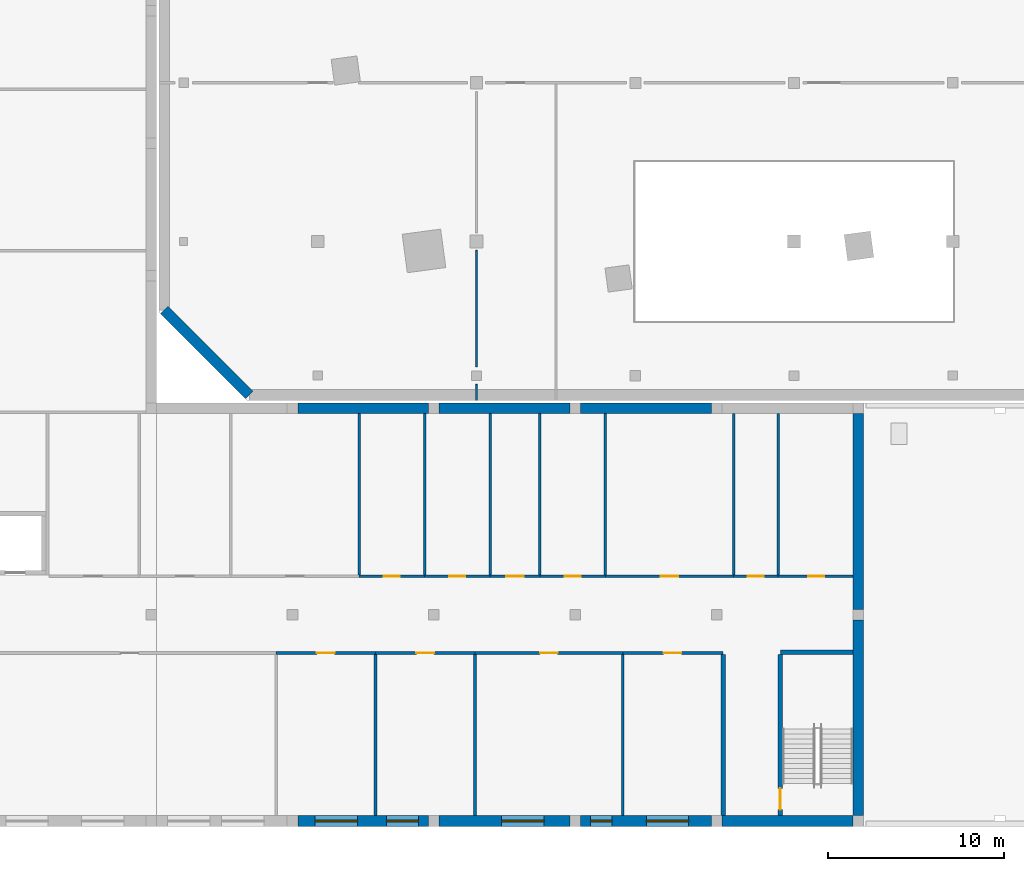
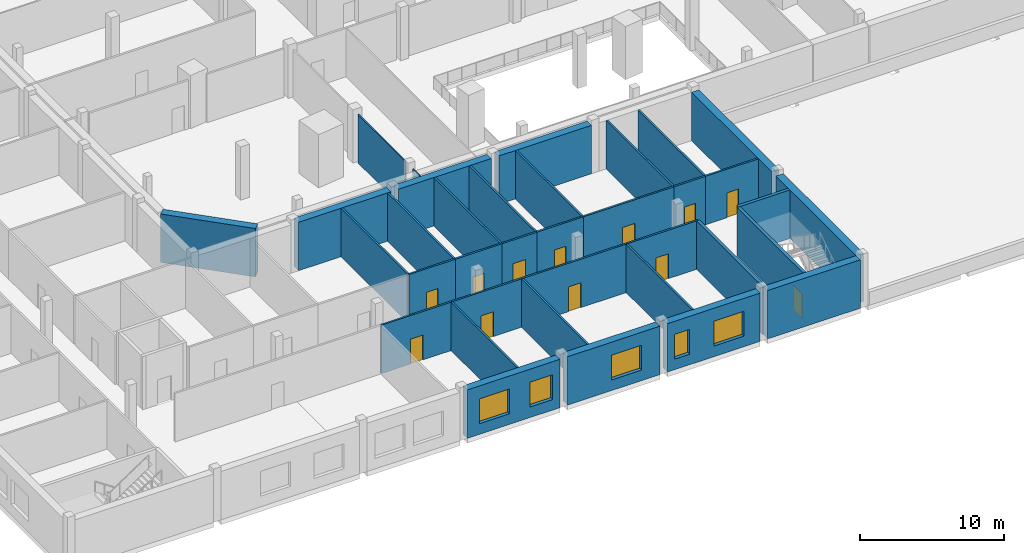
# One storey, part 4 of 20: 36 walls, 12 doors, 5 windows, 17 openings.
"""IFC4 building model written with IfcOpenShell, lengths in metres."""

from ifc_helpers import new_model, si_unit, direction, frame, frame_2d, origin, place, context, subcontext, project, spatial, rectangle, extrude, material, layer, layer_set, type_object, element, fill, save


model = new_model("IFC4")

# Units and contexts
model_context = context("Model", 3, precision=1e-05, world=origin(), true_north=direction((0.0, 1.0)))
body_context = subcontext(model_context, "Body", "Model", "MODEL_VIEW")
ifc_project = project(units=[si_unit("LENGTHUNIT", "METRE"), si_unit("AREAUNIT", "SQUARE_METRE"), si_unit("VOLUMEUNIT", "CUBIC_METRE"), si_unit("PLANEANGLEUNIT", "RADIAN"), si_unit("MASSUNIT", "GRAM", prefix="KILO")], contexts=[model_context])

# Site, building, storey
site_placement = place(None, origin())
site = spatial("IfcSite", under=ifc_project, at=site_placement, CompositionType="ELEMENT")
building_placement = place(site_placement, origin())
building = spatial("IfcBuilding", under=site, at=building_placement, Name="Dilmun Exchange Tower", CompositionType="ELEMENT")
storey_placement = place(building_placement, frame((0.0, 0.0, 9.0)))
storey = spatial("IfcBuildingStorey", under=building, at=storey_placement, Name="L02", CompositionType="ELEMENT", Elevation=9.0)

# Walls
ifc_material_1 = material(Name="Partition 100 gypsum")
ifc_layer_1 = layer(ifc_material_1, 0.10009765625)
ifc_layer_set_1 = layer_set([ifc_layer_1], Name="Partition 100 gypsum")
wall_type_1 = type_object("IfcWallType", Name="Partition 100 gypsum", PredefinedType="PARTITIONING", material=ifc_layer_set_1)
wall_1_placement = place(storey_placement, frame((-18.0, -36.0, 0.0), z_axis=(0.0, 0.0, 1.0), x_axis=(0.0, 1.0, 0.0)))
element("IfcWall", 1, at=wall_1_placement, inside=storey, type_object=wall_type_1, Name="L02 partition", PredefinedType="PARTITIONING", context=body_context, shape_type="SweptSolid", body=[
    extrude(rectangle(XDim=0.89990234375, YDim=0.10009765625, at=frame_2d((0.449951171875, 0.0))), origin(), (0.0, 0.0, 1.0), 4.10009765625),
])
wall_2_placement = place(storey_placement, frame((-18.0, -34.10009765625, 0.0), z_axis=(0.0, 0.0, 1.0), x_axis=(0.0, 1.0, 0.0)))
element("IfcWall", 2, at=wall_2_placement, inside=storey, type_object=wall_type_1, Name="L02 partition", PredefinedType="PARTITIONING", context=body_context, shape_type="SweptSolid", body=[
    extrude(rectangle(XDim=6.60009765625, YDim=0.10009765625, at=frame_2d((3.300048828125, 0.0))), origin(), (0.0, 0.0, 1.0), 4.10009765625),
])
ifc_material_2 = material(Name="Precast concrete C50/60", Category="concrete")
ifc_layer_2 = layer(ifc_material_2, 0.60009765625)
ifc_layer_set_2 = layer_set([ifc_layer_2], Name="Precast concrete C50/60")
wall_type_2 = type_object("IfcWallType", Name="Precast stone-clad wall 600", PredefinedType="STANDARD", material=ifc_layer_set_2)
wall_3_placement = place(storey_placement, frame((-35.699951171875, -30.875732421875, 0.0), z_axis=(0.0, 0.0, 1.0), x_axis=(0.707106781187, -0.707106781187, 0.0)))
element("IfcWall", 3, at=wall_3_placement, inside=storey, type_object=wall_type_2, Name="Facade wall L02-07-0", PredefinedType="STANDARD", context=body_context, shape_type="SweptSolid", body=[
    extrude(rectangle(XDim=6.822509765625, YDim=0.60009765625, at=frame_2d((3.4111328125, 0.0))), origin(), (0.0, 0.0, 1.0), 4.10009765625),
])
ifc_material_3 = material(Name="Precast concrete C40/50", Category="concrete")
ifc_layer_3 = layer(ifc_material_3, 0.60009765625)
ifc_layer_set_3 = layer_set([ifc_layer_3], Name="Precast concrete C40/50")
wall_type_3 = type_object("IfcWallType", Name="School external wall 600 precast C40/50", PredefinedType="STANDARD", material=ifc_layer_set_3)
wall_4_placement = place(storey_placement, frame((-28.13330078125, -36.449951171875, 0.0), z_axis=(0.0, 0.0, 1.0), x_axis=(1.0, 0.0, 0.0)))
element("IfcWall", 4, at=wall_4_placement, inside=storey, type_object=wall_type_3, Name="School external wall", PredefinedType="STANDARD", context=body_context, shape_type="SweptSolid", body=[
    extrude(rectangle(XDim=7.41650390625, YDim=0.60009765625, at=frame_2d((3.708251953125, 0.0))), origin(), (0.0, 0.0, 1.0), 4.10009765625),
])
for number, where, z_axis, x_axis, name in (
    (5, (-20.11669921875, -36.449951171875, 0.0), (0.0, 0.0, 1.0), (1.0, 0.0, 0.0), "School external wall"),
    (6, (-12.10009765625, -36.449951171875, 0.0), (0.0, 0.0, 1.0), (1.0, 0.0, 0.0), "School external wall"),
):
    element("IfcWall", number, at=place(storey_placement, frame(where, z_axis=z_axis, x_axis=x_axis)), inside=storey, type_object=wall_type_3, Name=name, PredefinedType="STANDARD", context=body_context, shape_type="SweptSolid", body=[
        extrude(rectangle(XDim=7.416748046875, YDim=0.60009765625, at=frame_2d((3.70849609375, 0.0))), origin(), (0.0, 0.0, 1.0), 4.10009765625),
    ])
for number, where, z_axis, x_axis, name in (
    (7, (3.63330078125, -36.75, 0.0), (0.0, 0.0, 1.0), (0.0, -1.0, 0.0), "School external wall"),
    (8, (3.63330078125, -48.449951171875, 0.0), (0.0, 0.0, 1.0), (0.0, -1.0, 0.0), "School external wall"),
):
    element("IfcWall", number, at=place(storey_placement, frame(where, z_axis=z_axis, x_axis=x_axis)), inside=storey, type_object=wall_type_3, Name=name, PredefinedType="STANDARD", context=body_context, shape_type="SweptSolid", body=[
        extrude(rectangle(XDim=11.10009765625, YDim=0.60009765625, at=frame_2d((5.550048828125, 0.0))), origin(), (0.0, 0.0, 1.0), 4.10009765625),
    ])
wall_5_placement = place(storey_placement, frame((3.333251953125, -59.85009765625, 0.0), z_axis=(0.0, 0.0, 1.0), x_axis=(-1.0, 0.0, 0.0)))
element("IfcWall", 9, at=wall_5_placement, inside=storey, type_object=wall_type_3, Name="School external wall", PredefinedType="STANDARD", context=body_context, shape_type="SweptSolid", body=[
    extrude(rectangle(XDim=7.41650390625, YDim=0.60009765625, at=frame_2d((3.708251953125, 0.0))), origin(), (0.0, 0.0, 1.0), 4.10009765625),
])

# Wall, openings, windows
wall_6_placement = place(storey_placement, frame((-4.683349609375, -59.85009765625, 0.0), z_axis=(0.0, 0.0, 1.0), x_axis=(-1.0, 0.0, 0.0)))
wall_6 = element("IfcWall", 10, at=wall_6_placement, inside=storey, type_object=wall_type_3, Name="School external wall", PredefinedType="STANDARD", context=body_context, shape_type="SweptSolid", body=[
    extrude(rectangle(XDim=7.416748046875, YDim=0.60009765625, at=frame_2d((3.70849609375, 0.0))), origin(), (0.0, 0.0, 1.0), 4.10009765625),
])
opening_1_placement = place(wall_6_placement, frame((5.643798828125, 0.0, 0.89990234375)))
opening_1 = element("IfcOpeningElement", 11, at=opening_1_placement, cuts=wall_6, Name="Opening SCH-W12", PredefinedType="OPENING", context=body_context, shape_type="SweptSolid", body=[
    extrude(rectangle(XDim=1.199951171875, YDim=2.10009765625, at=frame_2d((0.60009765625, 1.050048828125))), frame((0.0, 0.31005859375, 0.0), z_axis=(0.0, -1.0, 0.0), x_axis=(1.0, 0.0, 0.0)), (0.0, 0.0, 1.0), 0.6201171875),
])
opening_2_placement = place(wall_6_placement, frame((1.290283203125, 0.0, 0.89990234375)))
opening_2 = element("IfcOpeningElement", 12, at=opening_2_placement, cuts=wall_6, Name="Opening SCH-W24", PredefinedType="OPENING", context=body_context, shape_type="SweptSolid", body=[
    extrude(rectangle(XDim=2.39990234375, YDim=2.10009765625, at=frame_2d((1.199951171875, 1.050048828125))), frame((0.0, 0.31005859375, 0.0), z_axis=(0.0, -1.0, 0.0), x_axis=(1.0, 0.0, 0.0)), (0.0, 0.0, 1.0), 0.6201171875),
])
ifc_material_4 = material(Name="Clear low-emissivity glass in aluminium frame", Category="aluminium")
window_type_1 = type_object("IfcWindowType", Name="School window 1200 x 2100", PartitioningType="DOUBLE_PANEL_VERTICAL", PredefinedType="WINDOW", material=ifc_material_4)
window_1_placement = place(opening_1_placement, origin())
window_1 = element("IfcWindow", 13, at=window_1_placement, inside=storey, type_object=window_type_1, Name="School window", OverallHeight=2.10009765625, OverallWidth=1.199951171875, PartitioningType="SINGLE_PANEL", PredefinedType="WINDOW", context=body_context, shape_type="SweptSolid", body=[
    extrude(rectangle(XDim=1.199951171875, YDim=2.10009765625, at=frame_2d((0.60009765625, 1.050048828125))), frame((0.0, 0.030029296875, 0.0), z_axis=(0.0, -1.0, 0.0), x_axis=(1.0, 0.0, 0.0)), (0.0, 0.0, 1.0), 0.06005859375),
])
fill(opening_1, window_1)
window_type_2 = type_object("IfcWindowType", Name="School window 2400 x 2100", PartitioningType="DOUBLE_PANEL_VERTICAL", PredefinedType="WINDOW", material=ifc_material_4)
window_2_placement = place(opening_2_placement, origin())
window_2 = element("IfcWindow", 14, at=window_2_placement, inside=storey, type_object=window_type_2, Name="School window", OverallHeight=2.10009765625, OverallWidth=2.39990234375, PartitioningType="SINGLE_PANEL", PredefinedType="WINDOW", context=body_context, shape_type="SweptSolid", body=[
    extrude(rectangle(XDim=2.39990234375, YDim=2.10009765625, at=frame_2d((1.199951171875, 1.050048828125))), frame((0.0, 0.030029296875, 0.0), z_axis=(0.0, -1.0, 0.0), x_axis=(1.0, 0.0, 0.0)), (0.0, 0.0, 1.0), 0.06005859375),
])
fill(opening_2, window_2)

# Wall, opening, window
wall_7_placement = place(storey_placement, frame((-12.699951171875, -59.85009765625, 0.0), z_axis=(0.0, 0.0, 1.0), x_axis=(-1.0, 0.0, 0.0)))
wall_7 = element("IfcWall", 15, at=wall_7_placement, inside=storey, type_object=wall_type_3, Name="School external wall", PredefinedType="STANDARD", context=body_context, shape_type="SweptSolid", body=[
    extrude(rectangle(XDim=7.416748046875, YDim=0.60009765625, at=frame_2d((3.70849609375, 0.0))), origin(), (0.0, 0.0, 1.0), 4.10009765625),
])
opening_3_placement = place(wall_7_placement, frame((1.472412109375, 0.0, 0.89990234375)))
opening_3 = element("IfcOpeningElement", 16, at=opening_3_placement, cuts=wall_7, Name="Opening SCH-W24", PredefinedType="OPENING", context=body_context, shape_type="SweptSolid", body=[
    extrude(rectangle(XDim=2.39990234375, YDim=2.10009765625, at=frame_2d((1.199951171875, 1.050048828125))), frame((0.0, 0.31005859375, 0.0), z_axis=(0.0, -1.0, 0.0), x_axis=(1.0, 0.0, 0.0)), (0.0, 0.0, 1.0), 0.6201171875),
])
window_3_placement = place(opening_3_placement, origin())
window_3 = element("IfcWindow", 17, at=window_3_placement, inside=storey, type_object=window_type_2, Name="School window", OverallHeight=2.10009765625, OverallWidth=2.39990234375, PartitioningType="SINGLE_PANEL", PredefinedType="WINDOW", context=body_context, shape_type="SweptSolid", body=[
    extrude(rectangle(XDim=2.39990234375, YDim=2.10009765625, at=frame_2d((1.199951171875, 1.050048828125))), frame((0.0, 0.030029296875, 0.0), z_axis=(0.0, -1.0, 0.0), x_axis=(1.0, 0.0, 0.0)), (0.0, 0.0, 1.0), 0.06005859375),
])
fill(opening_3, window_3)

# Wall, openings, windows
wall_8_placement = place(storey_placement, frame((-20.716796875, -59.85009765625, 0.0), z_axis=(0.0, 0.0, 1.0), x_axis=(-1.0, 0.0, 0.0)))
wall_8 = element("IfcWall", 18, at=wall_8_placement, inside=storey, type_object=wall_type_3, Name="School external wall", PredefinedType="STANDARD", context=body_context, shape_type="SweptSolid", body=[
    extrude(rectangle(XDim=7.41650390625, YDim=0.60009765625, at=frame_2d((3.708251953125, 0.0))), origin(), (0.0, 0.0, 1.0), 4.10009765625),
])
opening_4_placement = place(wall_8_placement, frame((4.035888671875, 0.0, 0.89990234375)))
opening_4 = element("IfcOpeningElement", 19, at=opening_4_placement, cuts=wall_8, Name="Opening SCH-W24", PredefinedType="OPENING", context=body_context, shape_type="SweptSolid", body=[
    extrude(rectangle(XDim=2.39990234375, YDim=2.10009765625, at=frame_2d((1.199951171875, 1.050048828125))), frame((0.0, 0.31005859375, 0.0), z_axis=(0.0, -1.0, 0.0), x_axis=(1.0, 0.0, 0.0)), (0.0, 0.0, 1.0), 0.6201171875),
])
opening_5_placement = place(wall_8_placement, frame((0.58251953125, 0.0, 0.89990234375)))
opening_5 = element("IfcOpeningElement", 20, at=opening_5_placement, cuts=wall_8, Name="Opening SCH-W18", PredefinedType="OPENING", context=body_context, shape_type="SweptSolid", body=[
    extrude(rectangle(XDim=1.800048828125, YDim=2.10009765625, at=frame_2d((0.89990234375, 1.050048828125))), frame((0.0, 0.31005859375, 0.0), z_axis=(0.0, -1.0, 0.0), x_axis=(1.0, 0.0, 0.0)), (0.0, 0.0, 1.0), 0.6201171875),
])
window_type_3 = type_object("IfcWindowType", Name="School window 1800 x 2100", PartitioningType="DOUBLE_PANEL_VERTICAL", PredefinedType="WINDOW", material=ifc_material_4)
window_4_placement = place(opening_5_placement, origin())
window_4 = element("IfcWindow", 21, at=window_4_placement, inside=storey, type_object=window_type_3, Name="School window", OverallHeight=2.10009765625, OverallWidth=1.800048828125, PartitioningType="SINGLE_PANEL", PredefinedType="WINDOW", context=body_context, shape_type="SweptSolid", body=[
    extrude(rectangle(XDim=1.800048828125, YDim=2.10009765625, at=frame_2d((0.89990234375, 1.050048828125))), frame((0.0, 0.030029296875, 0.0), z_axis=(0.0, -1.0, 0.0), x_axis=(1.0, 0.0, 0.0)), (0.0, 0.0, 1.0), 0.06005859375),
])
fill(opening_5, window_4)
window_5_placement = place(opening_4_placement, origin())
window_5 = element("IfcWindow", 22, at=window_5_placement, inside=storey, type_object=window_type_2, Name="School window", OverallHeight=2.10009765625, OverallWidth=2.39990234375, PartitioningType="SINGLE_PANEL", PredefinedType="WINDOW", context=body_context, shape_type="SweptSolid", body=[
    extrude(rectangle(XDim=2.39990234375, YDim=2.10009765625, at=frame_2d((1.199951171875, 1.050048828125))), frame((0.0, 0.030029296875, 0.0), z_axis=(0.0, -1.0, 0.0), x_axis=(1.0, 0.0, 0.0)), (0.0, 0.0, 1.0), 0.06005859375),
])
fill(opening_4, window_5)

# Walls
ifc_material_5 = material(Name="Gypsum board on steel studs", Category="steel")
ifc_layer_4 = layer(ifc_material_5, 0.14990234375)
ifc_layer_set_4 = layer_set([ifc_layer_4], Name="Gypsum board on steel studs")
wall_type_4 = type_object("IfcWallType", Name="School partition 150 gypsum board", PredefinedType="PARTITIONING", material=ifc_layer_set_4)
for number, where, z_axis, x_axis, name in (
    (23, (-23.726806640625, -59.550048828125, 0.0), (0.0, 0.0, 1.0), (0.0, 1.0, 0.0), "School partition"),
    (24, (-18.089599609375, -59.550048828125, 0.0), (0.0, 0.0, 1.0), (0.0, 1.0, 0.0), "School partition"),
    (25, (-9.708984375, -59.550048828125, 0.0), (0.0, 0.0, 1.0), (0.0, 1.0, 0.0), "School partition"),
):
    element("IfcWall", number, at=place(storey_placement, frame(where, z_axis=z_axis, x_axis=x_axis)), inside=storey, type_object=wall_type_4, Name=name, PredefinedType="PARTITIONING", context=body_context, shape_type="SweptSolid", body=[
        extrude(rectangle(XDim=9.150146484375, YDim=0.14990234375, at=frame_2d((4.5751953125, 0.0))), origin(), (0.0, 0.0, 1.0), 4.10009765625),
    ])

# Wall, opening, door
wall_9_placement = place(storey_placement, frame((-29.36376953125, -50.324951171875, 0.0), z_axis=(0.0, 0.0, 1.0), x_axis=(1.0, 0.0, 0.0)))
wall_9 = element("IfcWall", 26, at=wall_9_placement, inside=storey, type_object=wall_type_4, Name="School corridor wall", PredefinedType="PARTITIONING", context=body_context, shape_type="SweptSolid", body=[
    extrude(rectangle(XDim=5.636962890625, YDim=0.14990234375, at=frame_2d((2.818359375, 0.0))), origin(), (0.0, 0.0, 1.0), 4.10009765625),
])
opening_6_placement = place(wall_9_placement, frame((2.318603515625, 0.0, 0.0)))
opening_6 = element("IfcOpeningElement", 27, at=opening_6_placement, cuts=wall_9, Name="Opening SCH-D1", PredefinedType="OPENING", context=body_context, shape_type="SweptSolid", body=[
    extrude(rectangle(XDim=1.0, YDim=2.10009765625, at=frame_2d((0.5, 1.050048828125))), frame((0.0, 0.0849609375, 0.0), z_axis=(0.0, -1.0, 0.0), x_axis=(1.0, 0.0, 0.0)), (0.0, 0.0, 1.0), 0.169921875),
])
ifc_material_6 = material(Name="Timber door leaf in steel frame", Category="steel")
door_type_1 = type_object("IfcDoorType", Name="School door FD30S 1000 x 2100", OperationType="NOTDEFINED", PredefinedType="DOOR", material=ifc_material_6)
door_1_placement = place(opening_6_placement, origin())
door_1 = element("IfcDoor", 28, at=door_1_placement, inside=storey, type_object=door_type_1, Name="Classroom door", OperationType="SINGLE_SWING_LEFT", OverallHeight=2.10009765625, OverallWidth=1.0, PredefinedType="DOOR", context=body_context, shape_type="SweptSolid", body=[
    extrude(rectangle(XDim=1.0, YDim=2.10009765625, at=frame_2d((0.5, 1.050048828125))), frame((0.0, 0.02490234375, 0.0), z_axis=(0.0, -1.0, 0.0), x_axis=(1.0, 0.0, 0.0)), (0.0, 0.0, 1.0), 0.050048828125),
])
fill(opening_6, door_1)

wall_10_placement = place(storey_placement, frame((-23.726806640625, -50.324951171875, 0.0), z_axis=(0.0, 0.0, 1.0), x_axis=(1.0, 0.0, 0.0)))
wall_10 = element("IfcWall", 29, at=wall_10_placement, inside=storey, type_object=wall_type_4, Name="School corridor wall", PredefinedType="PARTITIONING", context=body_context, shape_type="SweptSolid", body=[
    extrude(rectangle(XDim=5.63720703125, YDim=0.14990234375, at=frame_2d((2.818603515625, 0.0))), origin(), (0.0, 0.0, 1.0), 4.10009765625),
])
opening_7_placement = place(wall_10_placement, frame((2.318603515625, 0.0, 0.0)))
opening_7 = element("IfcOpeningElement", 30, at=opening_7_placement, cuts=wall_10, Name="Opening SCH-D1", PredefinedType="OPENING", context=body_context, shape_type="SweptSolid", body=[
    extrude(rectangle(XDim=1.0, YDim=2.10009765625, at=frame_2d((0.5, 1.050048828125))), frame((0.0, 0.0849609375, 0.0), z_axis=(0.0, -1.0, 0.0), x_axis=(1.0, 0.0, 0.0)), (0.0, 0.0, 1.0), 0.169921875),
])
door_2_placement = place(opening_7_placement, origin())
door_2 = element("IfcDoor", 31, at=door_2_placement, inside=storey, type_object=door_type_1, Name="Classroom door", OperationType="SINGLE_SWING_RIGHT", OverallHeight=2.10009765625, OverallWidth=1.0, PredefinedType="DOOR", context=body_context, shape_type="SweptSolid", body=[
    extrude(rectangle(XDim=1.0, YDim=2.10009765625, at=frame_2d((0.5, 1.050048828125))), frame((0.0, 0.02490234375, 0.0), z_axis=(0.0, -1.0, 0.0), x_axis=(1.0, 0.0, 0.0)), (0.0, 0.0, 1.0), 0.050048828125),
])
fill(opening_7, door_2)

wall_11_placement = place(storey_placement, frame((-18.089599609375, -50.324951171875, 0.0), z_axis=(0.0, 0.0, 1.0), x_axis=(1.0, 0.0, 0.0)))
wall_11 = element("IfcWall", 32, at=wall_11_placement, inside=storey, type_object=wall_type_4, Name="School corridor wall", PredefinedType="PARTITIONING", context=body_context, shape_type="SweptSolid", body=[
    extrude(rectangle(XDim=8.380615234375, YDim=0.14990234375, at=frame_2d((4.1904296875, 0.0))), origin(), (0.0, 0.0, 1.0), 4.10009765625),
])
opening_8_placement = place(wall_11_placement, frame((3.690185546875, 0.0, 0.0)))
opening_8 = element("IfcOpeningElement", 33, at=opening_8_placement, cuts=wall_11, Name="Opening SCH-D1", PredefinedType="OPENING", context=body_context, shape_type="SweptSolid", body=[
    extrude(rectangle(XDim=1.0, YDim=2.10009765625, at=frame_2d((0.5, 1.050048828125))), frame((0.0, 0.0849609375, 0.0), z_axis=(0.0, -1.0, 0.0), x_axis=(1.0, 0.0, 0.0)), (0.0, 0.0, 1.0), 0.169921875),
])
door_3_placement = place(opening_8_placement, origin())
door_3 = element("IfcDoor", 34, at=door_3_placement, inside=storey, type_object=door_type_1, Name="Art room door", OperationType="SINGLE_SWING_LEFT", OverallHeight=2.10009765625, OverallWidth=1.0, PredefinedType="DOOR", context=body_context, shape_type="SweptSolid", body=[
    extrude(rectangle(XDim=1.0, YDim=2.10009765625, at=frame_2d((0.5, 1.050048828125))), frame((0.0, 0.02490234375, 0.0), z_axis=(0.0, -1.0, 0.0), x_axis=(1.0, 0.0, 0.0)), (0.0, 0.0, 1.0), 0.050048828125),
])
fill(opening_8, door_3)

wall_12_placement = place(storey_placement, frame((-9.708984375, -50.324951171875, 0.0), z_axis=(0.0, 0.0, 1.0), x_axis=(1.0, 0.0, 0.0)))
wall_12 = element("IfcWall", 35, at=wall_12_placement, inside=storey, type_object=wall_type_4, Name="School corridor wall", PredefinedType="PARTITIONING", context=body_context, shape_type="SweptSolid", body=[
    extrude(rectangle(XDim=5.68701171875, YDim=0.14990234375, at=frame_2d((2.843505859375, 0.0))), origin(), (0.0, 0.0, 1.0), 4.10009765625),
])
opening_9_placement = place(wall_12_placement, frame((2.318603515625, 0.0, 0.0)))
opening_9 = element("IfcOpeningElement", 36, at=opening_9_placement, cuts=wall_12, Name="Opening SCH-D1", PredefinedType="OPENING", context=body_context, shape_type="SweptSolid", body=[
    extrude(rectangle(XDim=1.0, YDim=2.10009765625, at=frame_2d((0.5, 1.050048828125))), frame((0.0, 0.0849609375, 0.0), z_axis=(0.0, -1.0, 0.0), x_axis=(1.0, 0.0, 0.0)), (0.0, 0.0, 1.0), 0.169921875),
])
door_4_placement = place(opening_9_placement, origin())
door_4 = element("IfcDoor", 37, at=door_4_placement, inside=storey, type_object=door_type_1, Name="Sixth form study room door", OperationType="SINGLE_SWING_RIGHT", OverallHeight=2.10009765625, OverallWidth=1.0, PredefinedType="DOOR", context=body_context, shape_type="SweptSolid", body=[
    extrude(rectangle(XDim=1.0, YDim=2.10009765625, at=frame_2d((0.5, 1.050048828125))), frame((0.0, 0.02490234375, 0.0), z_axis=(0.0, -1.0, 0.0), x_axis=(1.0, 0.0, 0.0)), (0.0, 0.0, 1.0), 0.050048828125),
])
fill(opening_9, door_4)

# Walls
for number, where, z_axis, x_axis, name in (
    (38, (-24.65673828125, -45.89990234375, 0.0), (0.0, 0.0, 1.0), (0.0, 1.0, 0.0), "School partition"),
    (39, (-20.9443359375, -45.89990234375, 0.0), (0.0, 0.0, 1.0), (0.0, 1.0, 0.0), "School partition"),
    (40, (-17.23193359375, -45.89990234375, 0.0), (0.0, 0.0, 1.0), (0.0, 1.0, 0.0), "School partition"),
    (41, (-14.41015625, -45.89990234375, 0.0), (0.0, 0.0, 1.0), (0.0, 1.0, 0.0), "School partition"),
    (42, (-10.69775390625, -45.89990234375, 0.0), (0.0, 0.0, 1.0), (0.0, 1.0, 0.0), "School partition"),
    (43, (-3.423095703125, -45.89990234375, 0.0), (0.0, 0.0, 1.0), (0.0, 1.0, 0.0), "School partition"),
    (44, (-0.898193359375, -45.89990234375, 0.0), (0.0, 0.0, 1.0), (0.0, 1.0, 0.0), "School partition"),
):
    element("IfcWall", number, at=place(storey_placement, frame(where, z_axis=z_axis, x_axis=x_axis)), inside=storey, type_object=wall_type_4, Name=name, PredefinedType="PARTITIONING", context=body_context, shape_type="SweptSolid", body=[
        extrude(rectangle(XDim=9.14990234375, YDim=0.14990234375, at=frame_2d((4.574951171875, 0.0))), origin(), (0.0, 0.0, 1.0), 4.10009765625),
    ])

# Wall, opening, door
wall_13_placement = place(storey_placement, frame((-24.65673828125, -45.97509765625, 0.0), z_axis=(0.0, 0.0, 1.0), x_axis=(1.0, 0.0, 0.0)))
wall_13 = element("IfcWall", 45, at=wall_13_placement, inside=storey, type_object=wall_type_4, Name="School corridor wall", PredefinedType="PARTITIONING", context=body_context, shape_type="SweptSolid", body=[
    extrude(rectangle(XDim=3.71240234375, YDim=0.14990234375, at=frame_2d((1.856201171875, 0.0))), origin(), (0.0, 0.0, 1.0), 4.10009765625),
])
opening_10_placement = place(wall_13_placement, frame((1.40625, 0.0, 0.0)))
opening_10 = element("IfcOpeningElement", 46, at=opening_10_placement, cuts=wall_13, Name="Opening SCH-D2", PredefinedType="OPENING", context=body_context, shape_type="SweptSolid", body=[
    extrude(rectangle(XDim=0.89990234375, YDim=2.10009765625, at=frame_2d((0.449951171875, 1.050048828125))), frame((0.0, 0.0849609375, 0.0), z_axis=(0.0, -1.0, 0.0), x_axis=(1.0, 0.0, 0.0)), (0.0, 0.0, 1.0), 0.169921875),
])
door_type_2 = type_object("IfcDoorType", Name="School door FD30S 900 x 2100", OperationType="NOTDEFINED", PredefinedType="DOOR", material=ifc_material_6)
door_5_placement = place(opening_10_placement, origin())
door_5 = element("IfcDoor", 47, at=door_5_placement, inside=storey, type_object=door_type_2, Name="Boys WC door", OperationType="SINGLE_SWING_RIGHT", OverallHeight=2.10009765625, OverallWidth=0.89990234375, PredefinedType="DOOR", context=body_context, shape_type="SweptSolid", body=[
    extrude(rectangle(XDim=0.89990234375, YDim=2.10009765625, at=frame_2d((0.449951171875, 1.050048828125))), frame((0.0, 0.02490234375, 0.0), z_axis=(0.0, -1.0, 0.0), x_axis=(1.0, 0.0, 0.0)), (0.0, 0.0, 1.0), 0.050048828125),
])
fill(opening_10, door_5)

wall_14_placement = place(storey_placement, frame((-20.9443359375, -45.97509765625, 0.0), z_axis=(0.0, 0.0, 1.0), x_axis=(1.0, 0.0, 0.0)))
wall_14 = element("IfcWall", 48, at=wall_14_placement, inside=storey, type_object=wall_type_4, Name="School corridor wall", PredefinedType="PARTITIONING", context=body_context, shape_type="SweptSolid", body=[
    extrude(rectangle(XDim=3.71240234375, YDim=0.14990234375, at=frame_2d((1.856201171875, 0.0))), origin(), (0.0, 0.0, 1.0), 4.10009765625),
])
opening_11_placement = place(wall_14_placement, frame((1.40625, 0.0, 0.0)))
opening_11 = element("IfcOpeningElement", 49, at=opening_11_placement, cuts=wall_14, Name="Opening SCH-D2", PredefinedType="OPENING", context=body_context, shape_type="SweptSolid", body=[
    extrude(rectangle(XDim=0.89990234375, YDim=2.10009765625, at=frame_2d((0.449951171875, 1.050048828125))), frame((0.0, 0.0849609375, 0.0), z_axis=(0.0, -1.0, 0.0), x_axis=(1.0, 0.0, 0.0)), (0.0, 0.0, 1.0), 0.169921875),
])
door_6_placement = place(opening_11_placement, origin())
door_6 = element("IfcDoor", 50, at=door_6_placement, inside=storey, type_object=door_type_2, Name="Girls WC door", OperationType="SINGLE_SWING_LEFT", OverallHeight=2.10009765625, OverallWidth=0.89990234375, PredefinedType="DOOR", context=body_context, shape_type="SweptSolid", body=[
    extrude(rectangle(XDim=0.89990234375, YDim=2.10009765625, at=frame_2d((0.449951171875, 1.050048828125))), frame((0.0, 0.02490234375, 0.0), z_axis=(0.0, -1.0, 0.0), x_axis=(1.0, 0.0, 0.0)), (0.0, 0.0, 1.0), 0.050048828125),
])
fill(opening_11, door_6)

wall_15_placement = place(storey_placement, frame((-17.23193359375, -45.97509765625, 0.0), z_axis=(0.0, 0.0, 1.0), x_axis=(1.0, 0.0, 0.0)))
wall_15 = element("IfcWall", 51, at=wall_15_placement, inside=storey, type_object=wall_type_4, Name="School corridor wall", PredefinedType="PARTITIONING", context=body_context, shape_type="SweptSolid", body=[
    extrude(rectangle(XDim=2.82177734375, YDim=0.14990234375, at=frame_2d((1.410888671875, 0.0))), origin(), (0.0, 0.0, 1.0), 4.10009765625),
])
opening_12_placement = place(wall_15_placement, frame((0.910888671875, 0.0, 0.0)))
opening_12 = element("IfcOpeningElement", 52, at=opening_12_placement, cuts=wall_15, Name="Opening SCH-D1", PredefinedType="OPENING", context=body_context, shape_type="SweptSolid", body=[
    extrude(rectangle(XDim=1.0, YDim=2.10009765625, at=frame_2d((0.5, 1.050048828125))), frame((0.0, 0.0849609375, 0.0), z_axis=(0.0, -1.0, 0.0), x_axis=(1.0, 0.0, 0.0)), (0.0, 0.0, 1.0), 0.169921875),
])
door_7_placement = place(opening_12_placement, origin())
door_7 = element("IfcDoor", 53, at=door_7_placement, inside=storey, type_object=door_type_1, Name="Accessible WC door", OperationType="SINGLE_SWING_RIGHT", OverallHeight=2.10009765625, OverallWidth=1.0, PredefinedType="DOOR", context=body_context, shape_type="SweptSolid", body=[
    extrude(rectangle(XDim=1.0, YDim=2.10009765625, at=frame_2d((0.5, 1.050048828125))), frame((0.0, 0.02490234375, 0.0), z_axis=(0.0, -1.0, 0.0), x_axis=(1.0, 0.0, 0.0)), (0.0, 0.0, 1.0), 0.050048828125),
])
fill(opening_12, door_7)

wall_16_placement = place(storey_placement, frame((-14.41015625, -45.97509765625, 0.0), z_axis=(0.0, 0.0, 1.0), x_axis=(1.0, 0.0, 0.0)))
wall_16 = element("IfcWall", 54, at=wall_16_placement, inside=storey, type_object=wall_type_4, Name="School corridor wall", PredefinedType="PARTITIONING", context=body_context, shape_type="SweptSolid", body=[
    extrude(rectangle(XDim=3.71240234375, YDim=0.14990234375, at=frame_2d((1.856201171875, 0.0))), origin(), (0.0, 0.0, 1.0), 4.10009765625),
])
opening_13_placement = place(wall_16_placement, frame((1.40625, 0.0, 0.0)))
opening_13 = element("IfcOpeningElement", 55, at=opening_13_placement, cuts=wall_16, Name="Opening SCH-D2", PredefinedType="OPENING", context=body_context, shape_type="SweptSolid", body=[
    extrude(rectangle(XDim=0.89990234375, YDim=2.10009765625, at=frame_2d((0.449951171875, 1.050048828125))), frame((0.0, 0.0849609375, 0.0), z_axis=(0.0, -1.0, 0.0), x_axis=(1.0, 0.0, 0.0)), (0.0, 0.0, 1.0), 0.169921875),
])
door_8_placement = place(opening_13_placement, origin())
door_8 = element("IfcDoor", 56, at=door_8_placement, inside=storey, type_object=door_type_2, Name="Printing room door", OperationType="SINGLE_SWING_LEFT", OverallHeight=2.10009765625, OverallWidth=0.89990234375, PredefinedType="DOOR", context=body_context, shape_type="SweptSolid", body=[
    extrude(rectangle(XDim=0.89990234375, YDim=2.10009765625, at=frame_2d((0.449951171875, 1.050048828125))), frame((0.0, 0.02490234375, 0.0), z_axis=(0.0, -1.0, 0.0), x_axis=(1.0, 0.0, 0.0)), (0.0, 0.0, 1.0), 0.050048828125),
])
fill(opening_13, door_8)

wall_17_placement = place(storey_placement, frame((-10.69775390625, -45.97509765625, 0.0), z_axis=(0.0, 0.0, 1.0), x_axis=(1.0, 0.0, 0.0)))
wall_17 = element("IfcWall", 57, at=wall_17_placement, inside=storey, type_object=wall_type_4, Name="School corridor wall", PredefinedType="PARTITIONING", context=body_context, shape_type="SweptSolid", body=[
    extrude(rectangle(XDim=7.274658203125, YDim=0.14990234375, at=frame_2d((3.63720703125, 0.0))), origin(), (0.0, 0.0, 1.0), 4.10009765625),
])
opening_14_placement = place(wall_17_placement, frame((3.137451171875, 0.0, 0.0)))
opening_14 = element("IfcOpeningElement", 58, at=opening_14_placement, cuts=wall_17, Name="Opening SCH-D1", PredefinedType="OPENING", context=body_context, shape_type="SweptSolid", body=[
    extrude(rectangle(XDim=1.0, YDim=2.10009765625, at=frame_2d((0.5, 1.050048828125))), frame((0.0, 0.0849609375, 0.0), z_axis=(0.0, -1.0, 0.0), x_axis=(1.0, 0.0, 0.0)), (0.0, 0.0, 1.0), 0.169921875),
])
door_9_placement = place(opening_14_placement, origin())
door_9 = element("IfcDoor", 59, at=door_9_placement, inside=storey, type_object=door_type_1, Name="Careers library door", OperationType="SINGLE_SWING_RIGHT", OverallHeight=2.10009765625, OverallWidth=1.0, PredefinedType="DOOR", context=body_context, shape_type="SweptSolid", body=[
    extrude(rectangle(XDim=1.0, YDim=2.10009765625, at=frame_2d((0.5, 1.050048828125))), frame((0.0, 0.02490234375, 0.0), z_axis=(0.0, -1.0, 0.0), x_axis=(1.0, 0.0, 0.0)), (0.0, 0.0, 1.0), 0.050048828125),
])
fill(opening_14, door_9)

wall_18_placement = place(storey_placement, frame((-3.423095703125, -45.97509765625, 0.0), z_axis=(0.0, 0.0, 1.0), x_axis=(1.0, 0.0, 0.0)))
wall_18 = element("IfcWall", 60, at=wall_18_placement, inside=storey, type_object=wall_type_4, Name="School corridor wall", PredefinedType="PARTITIONING", context=body_context, shape_type="SweptSolid", body=[
    extrude(rectangle(XDim=2.52490234375, YDim=0.14990234375, at=frame_2d((1.262451171875, 0.0))), origin(), (0.0, 0.0, 1.0), 4.10009765625),
])
opening_15_placement = place(wall_18_placement, frame((0.8125, 0.0, 0.0)))
opening_15 = element("IfcOpeningElement", 61, at=opening_15_placement, cuts=wall_18, Name="Opening SCH-D2", PredefinedType="OPENING", context=body_context, shape_type="SweptSolid", body=[
    extrude(rectangle(XDim=0.89990234375, YDim=2.10009765625, at=frame_2d((0.449951171875, 1.050048828125))), frame((0.0, 0.0849609375, 0.0), z_axis=(0.0, -1.0, 0.0), x_axis=(1.0, 0.0, 0.0)), (0.0, 0.0, 1.0), 0.169921875),
])
door_10_placement = place(opening_15_placement, origin())
door_10 = element("IfcDoor", 62, at=door_10_placement, inside=storey, type_object=door_type_2, Name="Cleaner's store door", OperationType="SINGLE_SWING_LEFT", OverallHeight=2.10009765625, OverallWidth=0.89990234375, PredefinedType="DOOR", context=body_context, shape_type="SweptSolid", body=[
    extrude(rectangle(XDim=0.89990234375, YDim=2.10009765625, at=frame_2d((0.449951171875, 1.050048828125))), frame((0.0, 0.02490234375, 0.0), z_axis=(0.0, -1.0, 0.0), x_axis=(1.0, 0.0, 0.0)), (0.0, 0.0, 1.0), 0.050048828125),
])
fill(opening_15, door_10)

wall_19_placement = place(storey_placement, frame((-0.898193359375, -45.97509765625, 0.0), z_axis=(0.0, 0.0, 1.0), x_axis=(1.0, 0.0, 0.0)))
wall_19 = element("IfcWall", 63, at=wall_19_placement, inside=storey, type_object=wall_type_4, Name="School corridor wall", PredefinedType="PARTITIONING", context=body_context, shape_type="SweptSolid", body=[
    extrude(rectangle(XDim=4.231201171875, YDim=0.14990234375, at=frame_2d((2.11572265625, 0.0))), origin(), (0.0, 0.0, 1.0), 4.10009765625),
])
opening_16_placement = place(wall_19_placement, frame((1.703125, 0.0, 0.0)))
opening_16 = element("IfcOpeningElement", 64, at=opening_16_placement, cuts=wall_19, Name="Opening SCH-D2", PredefinedType="OPENING", context=body_context, shape_type="SweptSolid", body=[
    extrude(rectangle(XDim=0.89990234375, YDim=2.10009765625, at=frame_2d((0.449951171875, 1.050048828125))), frame((0.0, 0.0849609375, 0.0), z_axis=(0.0, -1.0, 0.0), x_axis=(1.0, 0.0, 0.0)), (0.0, 0.0, 1.0), 0.169921875),
])
door_11_placement = place(opening_16_placement, origin())
door_11 = element("IfcDoor", 65, at=door_11_placement, inside=storey, type_object=door_type_2, Name="Archive store door", OperationType="SINGLE_SWING_RIGHT", OverallHeight=2.10009765625, OverallWidth=0.89990234375, PredefinedType="DOOR", context=body_context, shape_type="SweptSolid", body=[
    extrude(rectangle(XDim=0.89990234375, YDim=2.10009765625, at=frame_2d((0.449951171875, 1.050048828125))), frame((0.0, 0.02490234375, 0.0), z_axis=(0.0, -1.0, 0.0), x_axis=(1.0, 0.0, 0.0)), (0.0, 0.0, 1.0), 0.050048828125),
])
fill(opening_16, door_11)

# Wall
ifc_material_7 = material(Name="Concrete C40/50", Category="concrete")
ifc_layer_5 = layer(ifc_material_7, 0.25)
ifc_layer_set_5 = layer_set([ifc_layer_5], Name="Concrete C40/50")
wall_type_5 = type_object("IfcWallType", Name="School stair and lift wall 250 C40/50", PredefinedType="SHEAR", material=ifc_layer_set_5)
wall_20_placement = place(storey_placement, frame((-4.02197265625, -59.550048828125, 0.0), z_axis=(0.0, 0.0, 1.0), x_axis=(0.0, 1.0, 0.0)))
element("IfcWall", 66, at=wall_20_placement, inside=storey, type_object=wall_type_5, Name="School stair or lift wall", PredefinedType="SHEAR", context=body_context, shape_type="SweptSolid", body=[
    extrude(rectangle(XDim=9.150146484375, YDim=0.25, at=frame_2d((4.5751953125, 0.0))), origin(), (0.0, 0.0, 1.0), 4.10009765625),
])

# Wall, opening, door
wall_21_placement = place(storey_placement, frame((-0.77197265625, -59.550048828125, 0.0), z_axis=(0.0, 0.0, 1.0), x_axis=(0.0, 1.0, 0.0)))
wall_21 = element("IfcWall", 67, at=wall_21_placement, inside=storey, type_object=wall_type_5, Name="School stair or lift wall", PredefinedType="SHEAR", context=body_context, shape_type="SweptSolid", body=[
    extrude(rectangle(XDim=9.150146484375, YDim=0.25, at=frame_2d((4.5751953125, 0.0))), origin(), (0.0, 0.0, 1.0), 4.10009765625),
])
opening_17_placement = place(wall_21_placement, frame((0.35009765625, 0.0, 0.0)))
opening_17 = element("IfcOpeningElement", 68, at=opening_17_placement, cuts=wall_21, Name="Opening SCH-D3", PredefinedType="OPENING", context=body_context, shape_type="SweptSolid", body=[
    extrude(rectangle(XDim=1.199951171875, YDim=2.10009765625, at=frame_2d((0.60009765625, 1.050048828125))), frame((0.0, 0.135009765625, 0.0), z_axis=(0.0, -1.0, 0.0), x_axis=(1.0, 0.0, 0.0)), (0.0, 0.0, 1.0), 0.27001953125),
])
door_type_3 = type_object("IfcDoorType", Name="School stair door FD60 1200 x 2100", OperationType="NOTDEFINED", PredefinedType="DOOR", material=ifc_material_6)
door_12_placement = place(opening_17_placement, origin())
door_12 = element("IfcDoor", 69, at=door_12_placement, inside=storey, type_object=door_type_3, Name="Stair S3 door", OperationType="SINGLE_SWING_RIGHT", OverallHeight=2.10009765625, OverallWidth=1.199951171875, PredefinedType="DOOR", context=body_context, shape_type="SweptSolid", body=[
    extrude(rectangle(XDim=1.199951171875, YDim=2.10009765625, at=frame_2d((0.60009765625, 1.050048828125))), frame((0.0, 0.02490234375, 0.0), z_axis=(0.0, -1.0, 0.0), x_axis=(1.0, 0.0, 0.0)), (0.0, 0.0, 1.0), 0.050048828125),
])
fill(opening_17, door_12)

# Wall
wall_22_placement = place(storey_placement, frame((-0.77197265625, -50.27490234375, 0.0), z_axis=(0.0, 0.0, 1.0), x_axis=(1.0, 0.0, 0.0)))
element("IfcWall", 70, at=wall_22_placement, inside=storey, type_object=wall_type_5, Name="School corridor wall", PredefinedType="SHEAR", context=body_context, shape_type="SweptSolid", body=[
    extrude(rectangle(XDim=4.10498046875, YDim=0.25, at=frame_2d((2.052490234375, 0.0))), origin(), (0.0, 0.0, 1.0), 4.10009765625),
])

save(model, "model.ifc")
